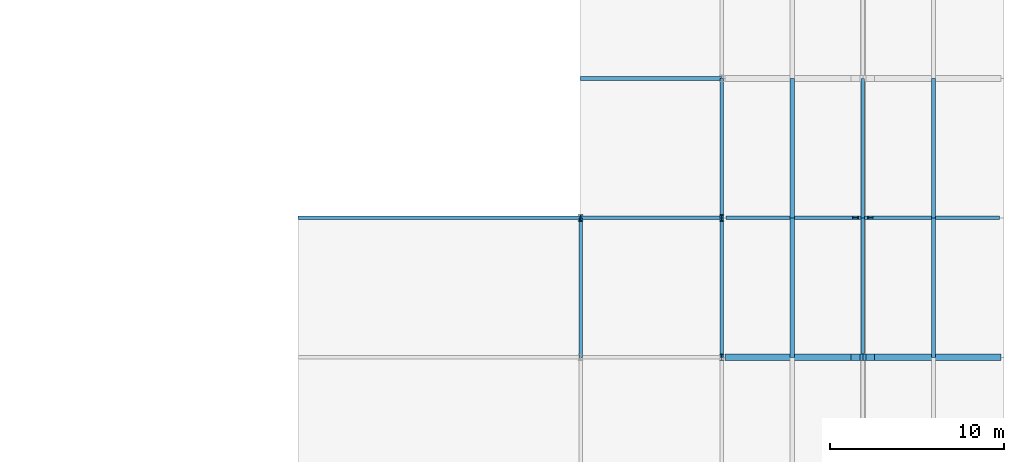
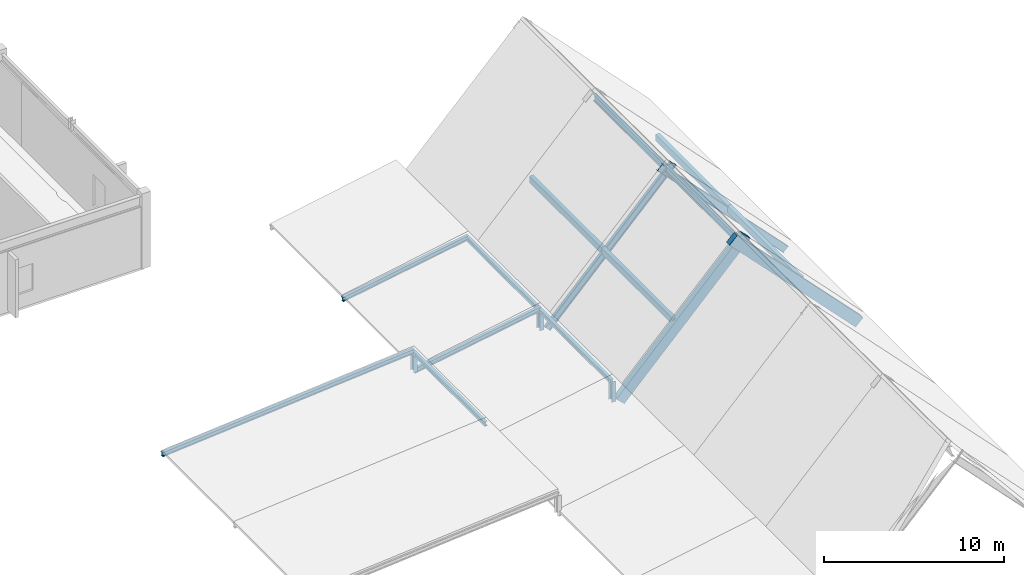
# One storey, part 40 of 107: 14 members, 5 beams.
"""IFC4 building model written with IfcOpenShell, lengths in metres."""

import ifcopenshell
import ifcopenshell.guid

model = None  # the IFC model being written
_history = None  # IfcOwnerHistory: only IFC2X3 demands one
_inside = {}  # id of a spatial element -> (the spatial element, [elements in it])
_under = {}  # id of a project, library or spatial element -> (it, [spatial elements below it])
_declared = {}  # id of a project -> (the project, [libraries it declares])
_typed = {}  # id of a type object -> (the type object, [elements of that type])
_made_of = {}  # id of a material, layer set ... -> (it, [elements and type objects made of it])


def new_model(schema):
    """Start an empty IFC model of exactly this schema.

    Asked for "IFC4X3", IfcOpenShell would pick the latest addendum, in which some entities
    have other attributes; the version numbers below select the first issue.
    IFC2X3 requires an IfcOwnerHistory on every rooted entity: one is made here for all.
    """
    global model, _history
    if schema == "IFC4X3":
        model = ifcopenshell.file(schema_version=(4, 3, 0, 0))
    else:
        model = ifcopenshell.file(schema=schema)
    _inside.clear()
    _under.clear()
    _declared.clear()
    _typed.clear()
    _made_of.clear()
    _history = None
    if model.schema == "IFC2X3":
        org = make("IfcOrganization", Name="unknown")
        user = make(
            "IfcPersonAndOrganization",
            ThePerson=make("IfcPerson", FamilyName="unknown"),
            TheOrganization=org,
        )
        app = make(
            "IfcApplication",
            ApplicationDeveloper=org,
            Version="unknown",
            ApplicationFullName="unknown",
            ApplicationIdentifier="unknown",
        )
        _history = make(
            "IfcOwnerHistory",
            OwningUser=user,
            OwningApplication=app,
            ChangeAction="ADDED",
            CreationDate=0,
        )
    return model


def make(cls, **values):
    """One entity of the class cls with the attributes given. An attribute that is None is left unset."""
    return model.create_entity(
        cls, **{name: value for name, value in values.items() if value is not None}
    )


def rooted(cls, **values):
    """An entity with a GlobalId (a new one), such as an element, a storey or a relation."""
    return make(cls, GlobalId=ifcopenshell.guid.new(), OwnerHistory=_history, **values)


def si_unit(unit_type, name, prefix=None):
    """IfcSIUnit, for example si_unit("LENGTHUNIT", "METRE", prefix="MILLI")."""
    return make("IfcSIUnit", UnitType=unit_type, Prefix=prefix, Name=name)


def assignment(units):
    """IfcUnitAssignment: the units of a project."""
    return None if units is None else make("IfcUnitAssignment", Units=units)


def point(xyz):
    """IfcCartesianPoint."""
    return None if xyz is None else make("IfcCartesianPoint", Coordinates=xyz)


def direction(xyz):
    """IfcDirection."""
    return None if xyz is None else make("IfcDirection", DirectionRatios=xyz)


def frame(location, z_axis=None, x_axis=None):
    """IfcAxis2Placement3D, a coordinate frame: its origin and axes. An axis left out is left unset."""
    return make(
        "IfcAxis2Placement3D",
        Location=point(location),
        Axis=direction(z_axis),
        RefDirection=direction(x_axis),
    )


def frame_2d(location, x_axis=None):
    """IfcAxis2Placement2D, a coordinate frame in the plane: its origin and x axis."""
    return make(
        "IfcAxis2Placement2D", Location=point(location), RefDirection=direction(x_axis)
    )


def origin():
    """The frame at (0, 0, 0) with its axes left unset."""
    return frame((0.0, 0.0, 0.0))


def origin_2d():
    """The frame at (0, 0) in the plane with its x axis left unset."""
    return frame_2d((0.0, 0.0))


def place(relative_to, where):
    """IfcLocalPlacement: puts the frame where relative to a parent placement (None: the world)."""
    return make(
        "IfcLocalPlacement", PlacementRelTo=relative_to, RelativePlacement=where
    )


def context(
    kind, dimensions, precision=None, world=None, true_north=None, identifier=None
):
    """IfcGeometricRepresentationContext, for example the 3D "Model" context."""
    return make(
        "IfcGeometricRepresentationContext",
        ContextIdentifier=identifier,
        ContextType=kind,
        CoordinateSpaceDimension=dimensions,
        Precision=precision,
        WorldCoordinateSystem=world,
        TrueNorth=true_north,
    )


def subcontext(parent, identifier, kind, view, scale=None):
    """IfcGeometricRepresentationSubContext, for example "Body" below "Model"."""
    return make(
        "IfcGeometricRepresentationSubContext",
        ContextIdentifier=identifier,
        ContextType=kind,
        ParentContext=parent,
        TargetScale=scale,
        TargetView=view,
    )


def project(units=None, contexts=None):
    """IfcProject with its units and contexts."""
    return rooted(
        "IfcProject",
        Name="project",
        RepresentationContexts=contexts,
        UnitsInContext=assignment(units),
    )


def spatial(cls, under=None, at=None, **own):
    """A site, building, storey or space (cls), placed at a placement, below another one or the project."""
    s = rooted(cls, ObjectPlacement=at, **own)
    if under is not None:
        _under.setdefault(under.id(), (under, []))[1].append(s)
    return s


def profile(cls, at=None, kind="AREA", **sizes):
    """A parametric profile (cls). Its sizes go by their IFC names, for example OverallWidth=200.0."""
    return make(cls, ProfileType=kind, Position=at, **sizes)


def rectangle(**sizes):
    """IfcRectangleProfileDef."""
    return profile("IfcRectangleProfileDef", **sizes)


def i_section(**sizes):
    """IfcIShapeProfileDef."""
    return profile("IfcIShapeProfileDef", **sizes)


def extrude(swept, where, along, depth):
    """IfcExtrudedAreaSolid: the profile swept, set in the frame where, extruded along a direction by depth."""
    return make(
        "IfcExtrudedAreaSolid",
        SweptArea=swept,
        Position=where,
        ExtrudedDirection=direction(along),
        Depth=depth,
    )


def shape(context_of_items, identifier, shape_type, items):
    """IfcShapeRepresentation: the items that make up one representation, for example the "Body"."""
    return make(
        "IfcShapeRepresentation",
        ContextOfItems=context_of_items,
        RepresentationIdentifier=identifier,
        RepresentationType=shape_type,
        Items=items,
    )


def material(Name=None, Category=None):
    """IfcMaterial."""
    return make("IfcMaterial", Name=Name, Category=Category)


def material_profile(
    of_material, cross_section, Name=None, Category=None, Priority=None
):
    """IfcMaterialProfile: a cross section and its material."""
    return make(
        "IfcMaterialProfile",
        Name=Name,
        Material=of_material,
        Profile=cross_section,
        Priority=Priority,
        Category=Category,
    )


def profile_set(profiles, Name=None, composite=None):
    """IfcMaterialProfileSet."""
    return make(
        "IfcMaterialProfileSet",
        Name=Name,
        MaterialProfiles=profiles,
        CompositeProfile=composite,
    )


def made_of(thing, what):
    """Note that an element or type object is made of a material, layer set ...; save() writes the relation."""
    if what is not None:
        _made_of.setdefault(what.id(), (what, []))[1].append(thing)
    return thing


def type_object(cls, material=None, **own):
    """A type object (cls), such as IfcWallType, which elements share."""
    return made_of(rooted(cls, **own), material)


def element(
    cls,
    number,
    at=None,
    inside=None,
    cuts=None,
    type_object=None,
    material=None,
    context=None,
    identifier="Body",
    shape_type=None,
    held_by="IfcProductDefinitionShape",
    body=None,
    shapes=None,
    **own,
):
    """One element of the class cls, such as IfcWall. Its Tag is "e" and its number.

    at: its placement. inside: the storey or other place that contains it. cuts: it is an
    opening in that element (IfcRelVoidsElement). A single representation is given by context,
    identifier, shape_type and body (its items); several are given by shapes. held_by: the class
    of the entity that holds the representations. save() writes the other relations.
    """
    e = rooted(cls, Tag="e%d" % number, ObjectPlacement=at, **own)
    if body is not None:
        shapes = [shape(context, identifier, shape_type, body)]
    if shapes is not None:
        e.Representation = make(held_by, Representations=shapes)
    if inside is not None:
        _inside.setdefault(inside.id(), (inside, []))[1].append(e)
    if cuts is not None:
        rooted(
            "IfcRelVoidsElement", RelatingBuildingElement=cuts, RelatedOpeningElement=e
        )
    if type_object is not None:
        _typed.setdefault(type_object.id(), (type_object, []))[1].append(e)
    return made_of(e, material)


def aggregate(whole, parts):
    """IfcRelAggregates: a whole, such as a stair, and the parts it consists of."""
    return rooted("IfcRelAggregates", RelatingObject=whole, RelatedObjects=parts)


def save(model, path):
    """Write the relations noted so far, then the file.

    IfcRelAggregates (storeys below a building ...), IfcRelContainedInSpatialStructure (elements
    in a storey), IfcRelDefinesByType, IfcRelAssociatesMaterial and IfcRelDeclares: one each for
    every whole, place, type object, material and project.
    """
    for whole, parts in _under.values():
        aggregate(whole, parts)
    for where, things in _inside.values():
        rooted(
            "IfcRelContainedInSpatialStructure",
            RelatedElements=things,
            RelatingStructure=where,
        )
    for kind, things in _typed.values():
        rooted("IfcRelDefinesByType", RelatedObjects=things, RelatingType=kind)
    for what, things in _made_of.values():
        rooted("IfcRelAssociatesMaterial", RelatedObjects=things, RelatingMaterial=what)
    for by, libraries in _declared.values():
        rooted("IfcRelDeclares", RelatingContext=by, RelatedDefinitions=libraries)
    model.write(path)


model = new_model("IFC4")

# Units and contexts
model_context = context("Model", 3, precision=1e-05, world=origin(), true_north=direction((0.0, 1.0)))
body_context = subcontext(model_context, "Body", "Model", "MODEL_VIEW")
ifc_project = project(units=[si_unit("LENGTHUNIT", "METRE"), si_unit("AREAUNIT", "SQUARE_METRE"), si_unit("VOLUMEUNIT", "CUBIC_METRE"), si_unit("PLANEANGLEUNIT", "RADIAN"), si_unit("MASSUNIT", "GRAM", prefix="KILO")], contexts=[model_context])

# Site, building, storey
site_placement = place(None, origin())
site = spatial("IfcSite", under=ifc_project, at=site_placement, CompositionType="ELEMENT")
building_placement = place(site_placement, origin())
building = spatial("IfcBuilding", under=site, at=building_placement, Name="Tarnveldt Square Police Headquarters", CompositionType="ELEMENT")
storey_placement = place(building_placement, frame((0.0, 0.0, 14.699951171875)))
storey = spatial("IfcBuildingStorey", under=building, at=storey_placement, Name="L03", CompositionType="ELEMENT", Elevation=14.699951171875)

# Beams
ifc_material_1 = material(Name="Steel 350W", Category="steel")
ifc_material_profile_1 = material_profile(ifc_material_1, i_section(OverallWidth=0.202880859375, OverallDepth=0.302978515625, WebThickness=0.007568359375, FlangeThickness=0.01318359375, FilletRadius=0.014892578125, at=origin_2d()), Name="W310x60")
ifc_profile_set_1 = profile_set([ifc_material_profile_1], Name="Steel 350W")
beam_type_1 = type_object("IfcBeamType", Name="BM-W310x60", PredefinedType="JOIST", material=ifc_profile_set_1)
for number, where, z_axis, x_axis, name in (
    (1, (145.800048828125, 32.0, 0.97998046875), (0.0, 1.0, 0.0), (-1.0, 0.0, 0.0), "East Spine High-Eave Header 5"),
    (2, (145.800048828125, 40.0, 0.97998046875), (0.0, 1.0, 0.0), (-1.0, 0.0, 0.0), "East Spine High-Eave Header 6"),
    (3, (137.699951171875, 32.0, 0.949951171875), (0.0, 1.0, 0.0), (-1.0, 0.0, 0.0), "Foyer Link High-Eave Header 2"),
):
    element("IfcBeam", number, at=place(storey_placement, frame(where, z_axis=z_axis, x_axis=x_axis)), inside=storey, type_object=beam_type_1, Name=name, PredefinedType="JOIST", context=body_context, shape_type="SweptSolid", body=[
        extrude(i_section(OverallWidth=0.202880859375, OverallDepth=0.302978515625, WebThickness=0.007568359375, FlangeThickness=0.01318359375, FilletRadius=0.014892578125, at=origin_2d()), origin(), (0.0, 0.0, 1.0), 8.0),
    ])
ifc_material_profile_2 = material_profile(ifc_material_1, i_section(OverallWidth=0.19189453125, OverallDepth=0.462890625, WebThickness=0.010498046875, FlangeThickness=0.017578125, FilletRadius=0.01806640625, at=origin_2d()), Name="W460x89")
ifc_profile_set_2 = profile_set([ifc_material_profile_2], Name="Steel 350W")
beam_type_2 = type_object("IfcBeamType", Name="BM-W460x89", PredefinedType="BEAM", material=ifc_profile_set_2)
for number, where, z_axis, x_axis, name in (
    (4, (153.89990234375, 32.0, 7.780029296875), (0.0, 1.0, 0.0), (-1.0, 0.0, 0.0), "Gabled Hall Ridge Beam 5"),
    (5, (153.89990234375, 40.0, 7.780029296875), (0.0, 1.0, 0.0), (-1.0, 0.0, 0.0), "Gabled Hall Ridge Beam 6"),
):
    element("IfcBeam", number, at=place(storey_placement, frame(where, z_axis=z_axis, x_axis=x_axis)), inside=storey, type_object=beam_type_2, Name=name, PredefinedType="BEAM", context=body_context, shape_type="SweptSolid", body=[
        extrude(i_section(OverallWidth=0.19189453125, OverallDepth=0.462890625, WebThickness=0.010498046875, FlangeThickness=0.017578125, FilletRadius=0.01806640625, at=origin_2d()), origin(), (0.0, 0.0, 1.0), 8.0),
    ])

# Members
ifc_material_profile_3 = material_profile(ifc_material_1, i_section(OverallWidth=0.257080078125, OverallDepth=0.363037109375, WebThickness=0.012939453125, FlangeThickness=0.021728515625, FilletRadius=0.01611328125, at=origin_2d()), Name="W360x122")
ifc_profile_set_3 = profile_set([ifc_material_profile_3], Name="Steel 350W")
member_type_1 = type_object("IfcMemberType", Name="MEM-CT-POST", PredefinedType="STRUT", material=ifc_profile_set_3)
for number, where, z_axis, x_axis, name in (
    (6, (145.800048828125, 32.0, -0.280029296875), (0.0, 0.0, 1.0), (1.0, 0.0, 0.0), "East Spine Shed High-Eave Post 5"),
    (7, (145.800048828125, 40.0, -0.280029296875), (0.0, 0.0, 1.0), (1.0, 0.0, 0.0), "East Spine Shed High-Eave Post 6"),
):
    element("IfcMember", number, at=place(storey_placement, frame(where, z_axis=z_axis, x_axis=x_axis)), inside=storey, type_object=member_type_1, Name=name, PredefinedType="STRUT", context=body_context, shape_type="SweptSolid", body=[
        extrude(i_section(OverallWidth=0.257080078125, OverallDepth=0.363037109375, WebThickness=0.012939453125, FlangeThickness=0.021728515625, FilletRadius=0.01611328125, at=origin_2d()), origin(), (0.0, 0.0, 1.0), 1.380126953125),
    ])
member_1_placement = place(storey_placement, frame((137.699951171875, 40.0, -0.280029296875), z_axis=(0.0, 0.0, 1.0), x_axis=(1.0, 0.0, 0.0)))
element("IfcMember", 8, at=member_1_placement, inside=storey, type_object=member_type_1, Name="Foyer Link High-Eave Post 40", PredefinedType="STRUT", context=body_context, shape_type="SweptSolid", body=[
    extrude(i_section(OverallWidth=0.257080078125, OverallDepth=0.363037109375, WebThickness=0.012939453125, FlangeThickness=0.021728515625, FilletRadius=0.01611328125, at=origin_2d()), origin(), (0.0, 0.0, 1.0), 1.330078125),
])
ifc_material_2 = material(Name="Precast concrete 35 MPa", Category="concrete")
ifc_material_profile_4 = material_profile(ifc_material_2, rectangle(XDim=0.25, YDim=0.449951171875, at=origin_2d()), Name="PC-PUR250x450")
ifc_profile_set_4 = profile_set([ifc_material_profile_4], Name="Precast concrete 35 MPa")
member_type_2 = type_object("IfcMemberType", Name="MEM-GAB-PUR1", PredefinedType="PURLIN", material=ifc_profile_set_4)
for number, where, z_axis, x_axis, name in (
    (9, (149.85009765625, 32.0, 3.64013671875), (0.0, 1.0, 0.0), (-1.0, 0.0, 0.0), "Gabled Hall Roof Purlin W-5"),
    (10, (157.949951171875, 32.0, 3.64013671875), (0.0, 1.0, 0.0), (-1.0, 0.0, 0.0), "Gabled Hall Roof Purlin E-5"),
    (11, (149.85009765625, 40.0, 3.64013671875), (0.0, 1.0, 0.0), (-1.0, 0.0, 0.0), "Gabled Hall Roof Purlin W-6"),
    (12, (157.949951171875, 40.0, 3.64013671875), (0.0, 1.0, 0.0), (-1.0, 0.0, 0.0), "Gabled Hall Roof Purlin E-6"),
):
    element("IfcMember", number, at=place(storey_placement, frame(where, z_axis=z_axis, x_axis=x_axis)), inside=storey, type_object=member_type_2, Name=name, PredefinedType="PURLIN", context=body_context, shape_type="SweptSolid", body=[
        extrude(rectangle(XDim=0.25, YDim=0.449951171875, at=origin_2d()), origin(), (0.0, 0.0, 1.0), 8.0),
    ])
ifc_material_profile_5 = material_profile(ifc_material_2, rectangle(XDim=0.35009765625, YDim=0.699951171875, at=origin_2d()), Name="PC-RAF350x700")
ifc_profile_set_5 = profile_set([ifc_material_profile_5], Name="Precast concrete 35 MPa")
member_type_3 = type_object("IfcMemberType", Name="MEM-GAB-RAF1", PredefinedType="RAFTER", material=ifc_profile_set_5)
member_2_placement = place(storey_placement, frame((146.224609375, 32.0, -0.409423828125), z_axis=(0.694144088606, 0.0, 0.719836081517), x_axis=(0.0, 1.0, 0.0)))
element("IfcMember", 13, at=member_2_placement, inside=storey, type_object=member_type_3, Name="Gabled Hall Rafter Frame GF-5 West", PredefinedType="RAFTER", context=body_context, shape_type="SweptSolid", body=[
    extrude(rectangle(XDim=0.35009765625, YDim=0.699951171875, at=origin_2d()), origin(), (0.0, 0.0, 1.0), 11.669189453125),
])
member_3_placement = place(storey_placement, frame((153.475341796875, 32.0, 7.990478515625), z_axis=(0.694133247437, 0.0, -0.719846535591), x_axis=(0.0, 1.0, 0.0)))
element("IfcMember", 14, at=member_3_placement, inside=storey, type_object=member_type_3, Name="Gabled Hall Rafter Frame GF-5 East", PredefinedType="RAFTER", context=body_context, shape_type="SweptSolid", body=[
    extrude(rectangle(XDim=0.35009765625, YDim=0.699951171875, at=origin_2d()), origin(), (0.0, 0.0, 1.0), 11.6689453125),
])
ifc_material_profile_6 = material_profile(ifc_material_1, i_section(OverallWidth=0.19189453125, OverallDepth=0.462890625, WebThickness=0.010498046875, FlangeThickness=0.017578125, FilletRadius=0.01806640625, at=origin_2d()), Name="W460x89")
ifc_profile_set_6 = profile_set([ifc_material_profile_6], Name="Steel 350W")
member_type_4 = type_object("IfcMemberType", Name="MEM-GAB-RAF2", PredefinedType="RAFTER", material=ifc_profile_set_6)
member_4_placement = place(storey_placement, frame((146.224609375, 40.0, -0.409423828125), z_axis=(0.694144088606, 0.0, 0.719836081517), x_axis=(0.0, 1.0, 0.0)))
element("IfcMember", 15, at=member_4_placement, inside=storey, type_object=member_type_4, Name="Gabled Hall Rafter Frame GF-6 West", PredefinedType="RAFTER", context=body_context, shape_type="SweptSolid", body=[
    extrude(i_section(OverallWidth=0.19189453125, OverallDepth=0.462890625, WebThickness=0.010498046875, FlangeThickness=0.017578125, FilletRadius=0.01806640625, at=origin_2d()), origin(), (0.0, 0.0, 1.0), 11.669189453125),
])
member_5_placement = place(storey_placement, frame((153.475341796875, 40.0, 7.990478515625), z_axis=(0.694133247437, 0.0, -0.719846535591), x_axis=(0.0, 1.0, 0.0)))
element("IfcMember", 16, at=member_5_placement, inside=storey, type_object=member_type_4, Name="Gabled Hall Rafter Frame GF-6 East", PredefinedType="RAFTER", context=body_context, shape_type="SweptSolid", body=[
    extrude(i_section(OverallWidth=0.19189453125, OverallDepth=0.462890625, WebThickness=0.010498046875, FlangeThickness=0.017578125, FilletRadius=0.01806640625, at=origin_2d()), origin(), (0.0, 0.0, 1.0), 11.6689453125),
])
ifc_material_profile_7 = material_profile(ifc_material_1, i_section(OverallWidth=0.202880859375, OverallDepth=0.302978515625, WebThickness=0.007568359375, FlangeThickness=0.01318359375, FilletRadius=0.014892578125, at=origin_2d()), Name="W310x60")
ifc_profile_set_7 = profile_set([ifc_material_profile_7], Name="Steel 350W")
member_type_5 = type_object("IfcMemberType", Name="MEM-L07-RAF", PredefinedType="RAFTER", material=ifc_profile_set_7)
for number, where, z_axis, x_axis, name in (
    (17, (137.699951171875, 40.0, -0.280029296875), (0.985387146875, 0.0, 0.17032959453), (0.0, 1.0, 0.0), "East Hall Spine Shed Rafter 6"),
    (18, (137.699951171875, 48.0, -0.280029296875), (0.985387146875, 0.0, 0.17032959453), (0.0, 1.0, 0.0), "East Hall Spine Shed Rafter 7"),
):
    element("IfcMember", number, at=place(storey_placement, frame(where, z_axis=z_axis, x_axis=x_axis)), inside=storey, type_object=member_type_5, Name=name, PredefinedType="RAFTER", context=body_context, shape_type="SweptSolid", body=[
        extrude(i_section(OverallWidth=0.202880859375, OverallDepth=0.302978515625, WebThickness=0.007568359375, FlangeThickness=0.01318359375, FilletRadius=0.014892578125, at=origin_2d()), origin(), (0.0, 0.0, 1.0), 8.22021484375),
    ])
member_6_placement = place(storey_placement, frame((121.5, 40.0, -0.280029296875), z_axis=(0.996390687808, 0.0, 0.084885789438), x_axis=(0.0, 1.0, 0.0)))
element("IfcMember", 19, at=member_6_placement, inside=storey, type_object=member_type_5, Name="Foyer Link Rafter 40", PredefinedType="RAFTER", context=body_context, shape_type="SweptSolid", body=[
    extrude(i_section(OverallWidth=0.202880859375, OverallDepth=0.302978515625, WebThickness=0.007568359375, FlangeThickness=0.01318359375, FilletRadius=0.014892578125, at=origin_2d()), origin(), (0.0, 0.0, 1.0), 16.258544921875),
])

save(model, "model.ifc")
